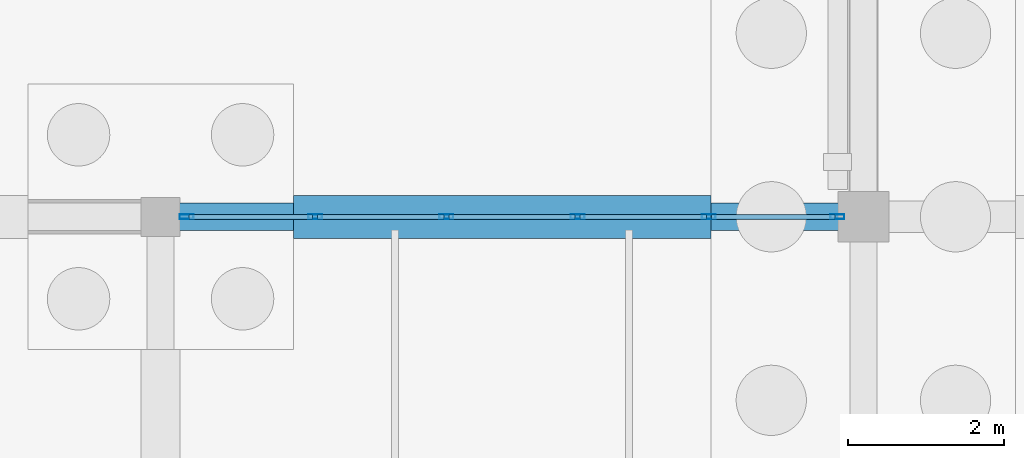
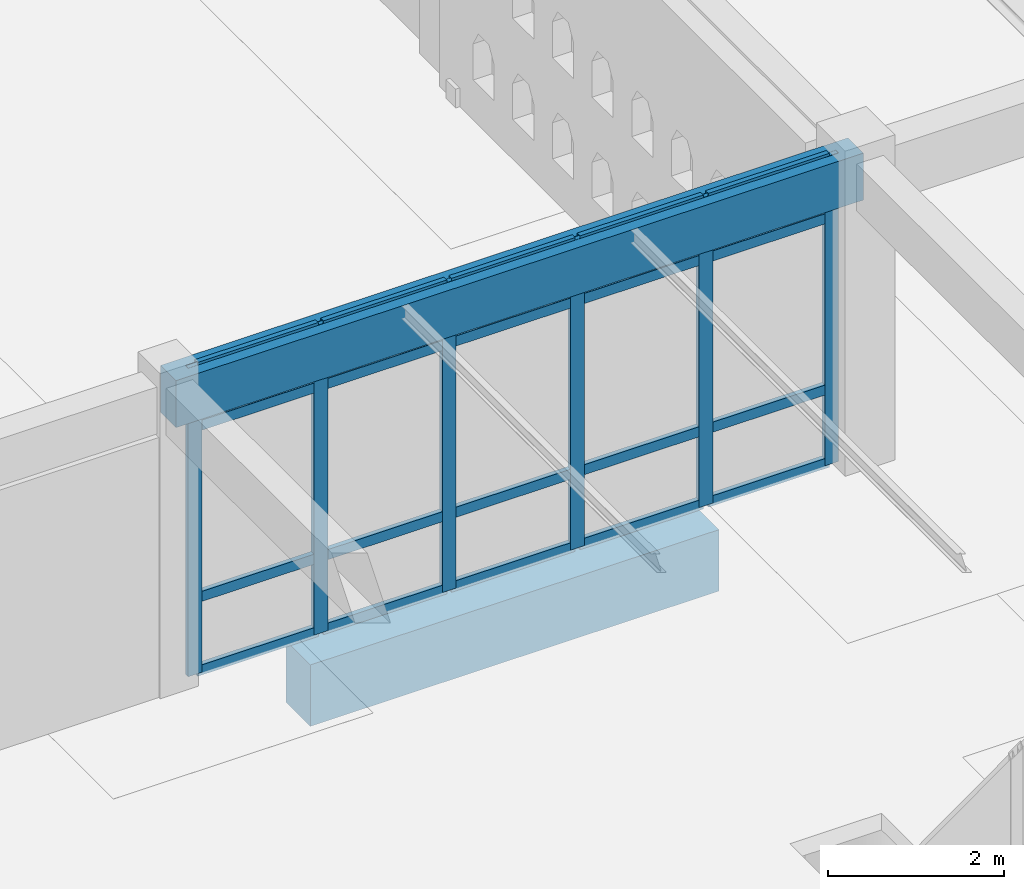
# One storey, part 112 of 186: 26 members, 2 beams, 1 element without a shape of its own.
"""IFC4 building model written with IfcOpenShell, lengths in metres."""

from ifc_helpers import new_model, si_unit, direction, frame, origin, origin_2d, place, context, subcontext, project, spatial, rectangle, hollow_rectangle, extrude, material, layer, layer_set, material_profile, profile_set, type_object, element, aggregate, save


model = new_model("IFC4")

# Units and contexts
model_context = context("Model", 3, precision=1e-05, world=origin(), true_north=direction((0.0, 1.0)))
body_context = subcontext(model_context, "Body", "Model", "MODEL_VIEW")
ifc_project = project(units=[si_unit("LENGTHUNIT", "METRE"), si_unit("AREAUNIT", "SQUARE_METRE"), si_unit("VOLUMEUNIT", "CUBIC_METRE"), si_unit("PLANEANGLEUNIT", "RADIAN"), si_unit("MASSUNIT", "GRAM", prefix="KILO")], contexts=[model_context])

# Site, building, storey
site_placement = place(None, origin())
site = spatial("IfcSite", under=ifc_project, at=site_placement, CompositionType="ELEMENT")
building_placement = place(site_placement, origin())
building = spatial("IfcBuilding", under=site, at=building_placement, Name="Ornek Quay Market", CompositionType="ELEMENT")
storey_placement = place(building_placement, origin())
storey = spatial("IfcBuildingStorey", under=building, at=storey_placement, Name="L00", CompositionType="ELEMENT", Elevation=0.0)

# Beams
ifc_material_1 = material(Name="Concrete C35/45", Category="concrete")
ifc_material_profile_1 = material_profile(ifc_material_1, rectangle(XDim=0.35009765625, YDim=0.64990234375, at=origin_2d()), Name="RC 350x650", Category="concrete")
ifc_profile_set_1 = profile_set([ifc_material_profile_1], Name="Concrete C35/45")
beam_type_1 = type_object("IfcBeamType", Name="BM-CONC-350x650", PredefinedType="BEAM", material=ifc_profile_set_1)
beam_1_placement = place(storey_placement, frame((144.0, 29.0, 3.945068359375), z_axis=(1.0, 0.0, 0.0), x_axis=(0.0, 1.0, 0.0)))
element("IfcBeam", 1, at=beam_1_placement, inside=storey, type_object=beam_type_1, Name="Primary beam B-CN1-092", PredefinedType="BEAM", context=body_context, shape_type="SweptSolid", body=[
    extrude(rectangle(XDim=0.35009765625, YDim=0.64990234375, at=origin_2d()), origin(), (0.0, 0.0, 1.0), 9.0),
])
ifc_material_profile_2 = material_profile(ifc_material_1, rectangle(XDim=0.550048828125, YDim=0.85009765625, at=origin_2d()), Name="RC 550x850", Category="concrete")
ifc_profile_set_2 = profile_set([ifc_material_profile_2], Name="Concrete C35/45")
beam_type_2 = type_object("IfcBeamType", Name="BM-GB-550x850", PredefinedType="BEAM", material=ifc_profile_set_2)
beam_2_placement = place(storey_placement, frame((145.699951171875, 29.0, -0.625), z_axis=(1.0, 0.0, 0.0), x_axis=(0.0, 1.0, 0.0)))
element("IfcBeam", 2, at=beam_2_placement, inside=storey, type_object=beam_type_2, Name="Ground tie beam GB-313", PredefinedType="BEAM", context=body_context, shape_type="SweptSolid", body=[
    extrude(rectangle(XDim=0.550048828125, YDim=0.85009765625, at=origin_2d()), origin(), (0.0, 0.0, 1.0), 5.35009765625),
])

# Curtain wall, members
ifc_material_2 = material(Name="Anodised bronze aluminium and triple low-e glass", Category="aluminium")
ifc_layer = layer(ifc_material_2, 0.199951171875, Name="Anodised bronze aluminium and triple low-e glass", Category="aluminium")
ifc_layer_set = layer_set([ifc_layer], Name="Anodised bronze aluminium and triple low-e glass")
curtain_wall_type = type_object("IfcCurtainWallType", Name="CW-CONC-MOD1800", PredefinedType="USERDEFINED", material=ifc_layer_set)
curtain_wall_placement = place(storey_placement, origin())
curtain_wall = element("IfcCurtainWall", 3, at=curtain_wall_placement, inside=storey, type_object=curtain_wall_type, Name="Curtain wall CW-031", ObjectType="CURTAIN WALL", PredefinedType="USERDEFINED")
ifc_material_3 = material(Name="Anodised aluminium 6063-T6", Category="aluminium")
ifc_material_profile_3 = material_profile(ifc_material_3, hollow_rectangle(XDim=0.06494140625, YDim=0.179931640625, WallThickness=0.00439453125, at=origin_2d()), Name="CW-MUL-65x180", Category="aluminium")
ifc_profile_set_3 = profile_set([ifc_material_profile_3], Name="Anodised aluminium 6063-T6")
member_type_1 = type_object("IfcMemberType", Name="CW-MUL-65x180", PredefinedType="MULLION", material=ifc_profile_set_3)
member_1_placement = place(storey_placement, frame((144.33251953125, 29.0, 0.0), z_axis=(0.0, 0.0, 1.0), x_axis=(0.0, 1.0, 0.0)))
member_1 = element("IfcMember", 4, at=member_1_placement, type_object=member_type_1, Name="CW-031 mullion 1", PredefinedType="MULLION", context=body_context, shape_type="SweptSolid", body=[
    extrude(hollow_rectangle(XDim=0.06494140625, YDim=0.179931640625, WallThickness=0.00439453125, at=origin_2d()), origin(), (0.0, 0.0, 1.0), 4.27001953125),
])
member_2_placement = place(storey_placement, frame((145.97998046875, 29.0, 0.0), z_axis=(0.0, 0.0, 1.0), x_axis=(0.0, 1.0, 0.0)))
member_2 = element("IfcMember", 5, at=member_2_placement, type_object=member_type_1, Name="CW-031 mullion 2", PredefinedType="MULLION", context=body_context, shape_type="SweptSolid", body=[
    extrude(hollow_rectangle(XDim=0.06494140625, YDim=0.179931640625, WallThickness=0.00439453125, at=origin_2d()), origin(), (0.0, 0.0, 1.0), 4.27001953125),
])
member_3_placement = place(storey_placement, frame((147.659912109375, 29.0, 0.0), z_axis=(0.0, 0.0, 1.0), x_axis=(0.0, 1.0, 0.0)))
member_3 = element("IfcMember", 6, at=member_3_placement, type_object=member_type_1, Name="CW-031 mullion 3", PredefinedType="MULLION", context=body_context, shape_type="SweptSolid", body=[
    extrude(hollow_rectangle(XDim=0.06494140625, YDim=0.179931640625, WallThickness=0.00439453125, at=origin_2d()), origin(), (0.0, 0.0, 1.0), 4.27001953125),
])
member_4_placement = place(storey_placement, frame((149.340087890625, 29.0, 0.0), z_axis=(0.0, 0.0, 1.0), x_axis=(0.0, 1.0, 0.0)))
member_4 = element("IfcMember", 7, at=member_4_placement, type_object=member_type_1, Name="CW-031 mullion 4", PredefinedType="MULLION", context=body_context, shape_type="SweptSolid", body=[
    extrude(hollow_rectangle(XDim=0.06494140625, YDim=0.179931640625, WallThickness=0.00439453125, at=origin_2d()), origin(), (0.0, 0.0, 1.0), 4.27001953125),
])
member_5_placement = place(storey_placement, frame((151.02001953125, 29.0, 0.0), z_axis=(0.0, 0.0, 1.0), x_axis=(0.0, 1.0, 0.0)))
member_5 = element("IfcMember", 8, at=member_5_placement, type_object=member_type_1, Name="CW-031 mullion 5", PredefinedType="MULLION", context=body_context, shape_type="SweptSolid", body=[
    extrude(hollow_rectangle(XDim=0.06494140625, YDim=0.179931640625, WallThickness=0.00439453125, at=origin_2d()), origin(), (0.0, 0.0, 1.0), 4.27001953125),
])
member_6_placement = place(storey_placement, frame((152.66748046875, 29.0, 0.0), z_axis=(0.0, 0.0, 1.0), x_axis=(0.0, 1.0, 0.0)))
member_6 = element("IfcMember", 9, at=member_6_placement, type_object=member_type_1, Name="CW-031 mullion 6", PredefinedType="MULLION", context=body_context, shape_type="SweptSolid", body=[
    extrude(hollow_rectangle(XDim=0.06494140625, YDim=0.179931640625, WallThickness=0.00439453125, at=origin_2d()), origin(), (0.0, 0.0, 1.0), 4.27001953125),
])
ifc_material_profile_4 = material_profile(ifc_material_3, hollow_rectangle(XDim=0.06494140625, YDim=0.139892578125, WallThickness=0.00439453125, at=origin_2d()), Name="CW-TRN-65x140", Category="aluminium")
ifc_profile_set_4 = profile_set([ifc_material_profile_4], Name="Anodised aluminium 6063-T6")
member_type_2 = type_object("IfcMemberType", Name="CW-TRN-65x140", PredefinedType="USERDEFINED", material=ifc_profile_set_4)
member_7_placement = place(storey_placement, frame((144.364990234375, 29.0, 0.032470703125), z_axis=(1.0, 0.0, 0.0), x_axis=(0.0, 1.0, 0.0)))
member_7 = element("IfcMember", 10, at=member_7_placement, type_object=member_type_2, Name="CW-031 transom 1.1", ObjectType="TRANSOM", PredefinedType="USERDEFINED", context=body_context, shape_type="SweptSolid", body=[
    extrude(hollow_rectangle(XDim=0.06494140625, YDim=0.139892578125, WallThickness=0.00439453125, at=origin_2d()), origin(), (0.0, 0.0, 1.0), 1.58251953125),
])
member_8_placement = place(storey_placement, frame((144.364990234375, 29.0, 1.050048828125), z_axis=(1.0, 0.0, 0.0), x_axis=(0.0, 1.0, 0.0)))
member_8 = element("IfcMember", 11, at=member_8_placement, type_object=member_type_2, Name="CW-031 transom 1.2", ObjectType="TRANSOM", PredefinedType="USERDEFINED", context=body_context, shape_type="SweptSolid", body=[
    extrude(hollow_rectangle(XDim=0.06494140625, YDim=0.139892578125, WallThickness=0.00439453125, at=origin_2d()), origin(), (0.0, 0.0, 1.0), 1.58251953125),
])
member_9_placement = place(storey_placement, frame((144.364990234375, 29.0, 3.419921875), z_axis=(1.0, 0.0, 0.0), x_axis=(0.0, 1.0, 0.0)))
member_9 = element("IfcMember", 12, at=member_9_placement, type_object=member_type_2, Name="CW-031 transom 1.3", ObjectType="TRANSOM", PredefinedType="USERDEFINED", context=body_context, shape_type="SweptSolid", body=[
    extrude(hollow_rectangle(XDim=0.06494140625, YDim=0.139892578125, WallThickness=0.00439453125, at=origin_2d()), origin(), (0.0, 0.0, 1.0), 1.58251953125),
])
member_10_placement = place(storey_placement, frame((144.364990234375, 29.0, 4.237548828125), z_axis=(1.0, 0.0, 0.0), x_axis=(0.0, 1.0, 0.0)))
member_10 = element("IfcMember", 13, at=member_10_placement, type_object=member_type_2, Name="CW-031 transom 1.4", ObjectType="TRANSOM", PredefinedType="USERDEFINED", context=body_context, shape_type="SweptSolid", body=[
    extrude(hollow_rectangle(XDim=0.06494140625, YDim=0.139892578125, WallThickness=0.00439453125, at=origin_2d()), origin(), (0.0, 0.0, 1.0), 1.58251953125),
])
member_11_placement = place(storey_placement, frame((146.012451171875, 29.0, 0.032470703125), z_axis=(1.0, 0.0, 0.0), x_axis=(0.0, 1.0, 0.0)))
member_11 = element("IfcMember", 14, at=member_11_placement, type_object=member_type_2, Name="CW-031 transom 2.1", ObjectType="TRANSOM", PredefinedType="USERDEFINED", context=body_context, shape_type="SweptSolid", body=[
    extrude(hollow_rectangle(XDim=0.06494140625, YDim=0.139892578125, WallThickness=0.00439453125, at=origin_2d()), origin(), (0.0, 0.0, 1.0), 1.614990234375),
])
member_12_placement = place(storey_placement, frame((146.012451171875, 29.0, 1.050048828125), z_axis=(1.0, 0.0, 0.0), x_axis=(0.0, 1.0, 0.0)))
member_12 = element("IfcMember", 15, at=member_12_placement, type_object=member_type_2, Name="CW-031 transom 2.2", ObjectType="TRANSOM", PredefinedType="USERDEFINED", context=body_context, shape_type="SweptSolid", body=[
    extrude(hollow_rectangle(XDim=0.06494140625, YDim=0.139892578125, WallThickness=0.00439453125, at=origin_2d()), origin(), (0.0, 0.0, 1.0), 1.614990234375),
])
member_13_placement = place(storey_placement, frame((146.012451171875, 29.0, 3.419921875), z_axis=(1.0, 0.0, 0.0), x_axis=(0.0, 1.0, 0.0)))
member_13 = element("IfcMember", 16, at=member_13_placement, type_object=member_type_2, Name="CW-031 transom 2.3", ObjectType="TRANSOM", PredefinedType="USERDEFINED", context=body_context, shape_type="SweptSolid", body=[
    extrude(hollow_rectangle(XDim=0.06494140625, YDim=0.139892578125, WallThickness=0.00439453125, at=origin_2d()), origin(), (0.0, 0.0, 1.0), 1.614990234375),
])
member_14_placement = place(storey_placement, frame((146.012451171875, 29.0, 4.237548828125), z_axis=(1.0, 0.0, 0.0), x_axis=(0.0, 1.0, 0.0)))
member_14 = element("IfcMember", 17, at=member_14_placement, type_object=member_type_2, Name="CW-031 transom 2.4", ObjectType="TRANSOM", PredefinedType="USERDEFINED", context=body_context, shape_type="SweptSolid", body=[
    extrude(hollow_rectangle(XDim=0.06494140625, YDim=0.139892578125, WallThickness=0.00439453125, at=origin_2d()), origin(), (0.0, 0.0, 1.0), 1.614990234375),
])
member_15_placement = place(storey_placement, frame((147.6923828125, 29.0, 0.032470703125), z_axis=(1.0, 0.0, 0.0), x_axis=(0.0, 1.0, 0.0)))
member_15 = element("IfcMember", 18, at=member_15_placement, type_object=member_type_2, Name="CW-031 transom 3.1", ObjectType="TRANSOM", PredefinedType="USERDEFINED", context=body_context, shape_type="SweptSolid", body=[
    extrude(hollow_rectangle(XDim=0.06494140625, YDim=0.139892578125, WallThickness=0.00439453125, at=origin_2d()), origin(), (0.0, 0.0, 1.0), 1.615234375),
])
member_16_placement = place(storey_placement, frame((147.6923828125, 29.0, 1.050048828125), z_axis=(1.0, 0.0, 0.0), x_axis=(0.0, 1.0, 0.0)))
member_16 = element("IfcMember", 19, at=member_16_placement, type_object=member_type_2, Name="CW-031 transom 3.2", ObjectType="TRANSOM", PredefinedType="USERDEFINED", context=body_context, shape_type="SweptSolid", body=[
    extrude(hollow_rectangle(XDim=0.06494140625, YDim=0.139892578125, WallThickness=0.00439453125, at=origin_2d()), origin(), (0.0, 0.0, 1.0), 1.615234375),
])
member_17_placement = place(storey_placement, frame((147.6923828125, 29.0, 3.419921875), z_axis=(1.0, 0.0, 0.0), x_axis=(0.0, 1.0, 0.0)))
member_17 = element("IfcMember", 20, at=member_17_placement, type_object=member_type_2, Name="CW-031 transom 3.3", ObjectType="TRANSOM", PredefinedType="USERDEFINED", context=body_context, shape_type="SweptSolid", body=[
    extrude(hollow_rectangle(XDim=0.06494140625, YDim=0.139892578125, WallThickness=0.00439453125, at=origin_2d()), origin(), (0.0, 0.0, 1.0), 1.615234375),
])
member_18_placement = place(storey_placement, frame((147.6923828125, 29.0, 4.237548828125), z_axis=(1.0, 0.0, 0.0), x_axis=(0.0, 1.0, 0.0)))
member_18 = element("IfcMember", 21, at=member_18_placement, type_object=member_type_2, Name="CW-031 transom 3.4", ObjectType="TRANSOM", PredefinedType="USERDEFINED", context=body_context, shape_type="SweptSolid", body=[
    extrude(hollow_rectangle(XDim=0.06494140625, YDim=0.139892578125, WallThickness=0.00439453125, at=origin_2d()), origin(), (0.0, 0.0, 1.0), 1.615234375),
])
member_19_placement = place(storey_placement, frame((149.37255859375, 29.0, 0.032470703125), z_axis=(1.0, 0.0, 0.0), x_axis=(0.0, 1.0, 0.0)))
member_19 = element("IfcMember", 22, at=member_19_placement, type_object=member_type_2, Name="CW-031 transom 4.1", ObjectType="TRANSOM", PredefinedType="USERDEFINED", context=body_context, shape_type="SweptSolid", body=[
    extrude(hollow_rectangle(XDim=0.06494140625, YDim=0.139892578125, WallThickness=0.00439453125, at=origin_2d()), origin(), (0.0, 0.0, 1.0), 1.614990234375),
])
member_20_placement = place(storey_placement, frame((149.37255859375, 29.0, 1.050048828125), z_axis=(1.0, 0.0, 0.0), x_axis=(0.0, 1.0, 0.0)))
member_20 = element("IfcMember", 23, at=member_20_placement, type_object=member_type_2, Name="CW-031 transom 4.2", ObjectType="TRANSOM", PredefinedType="USERDEFINED", context=body_context, shape_type="SweptSolid", body=[
    extrude(hollow_rectangle(XDim=0.06494140625, YDim=0.139892578125, WallThickness=0.00439453125, at=origin_2d()), origin(), (0.0, 0.0, 1.0), 1.614990234375),
])
member_21_placement = place(storey_placement, frame((149.37255859375, 29.0, 3.419921875), z_axis=(1.0, 0.0, 0.0), x_axis=(0.0, 1.0, 0.0)))
member_21 = element("IfcMember", 24, at=member_21_placement, type_object=member_type_2, Name="CW-031 transom 4.3", ObjectType="TRANSOM", PredefinedType="USERDEFINED", context=body_context, shape_type="SweptSolid", body=[
    extrude(hollow_rectangle(XDim=0.06494140625, YDim=0.139892578125, WallThickness=0.00439453125, at=origin_2d()), origin(), (0.0, 0.0, 1.0), 1.614990234375),
])
member_22_placement = place(storey_placement, frame((149.37255859375, 29.0, 4.237548828125), z_axis=(1.0, 0.0, 0.0), x_axis=(0.0, 1.0, 0.0)))
member_22 = element("IfcMember", 25, at=member_22_placement, type_object=member_type_2, Name="CW-031 transom 4.4", ObjectType="TRANSOM", PredefinedType="USERDEFINED", context=body_context, shape_type="SweptSolid", body=[
    extrude(hollow_rectangle(XDim=0.06494140625, YDim=0.139892578125, WallThickness=0.00439453125, at=origin_2d()), origin(), (0.0, 0.0, 1.0), 1.614990234375),
])
member_23_placement = place(storey_placement, frame((151.052490234375, 29.0, 0.032470703125), z_axis=(1.0, 0.0, 0.0), x_axis=(0.0, 1.0, 0.0)))
member_23 = element("IfcMember", 26, at=member_23_placement, type_object=member_type_2, Name="CW-031 transom 5.1", ObjectType="TRANSOM", PredefinedType="USERDEFINED", context=body_context, shape_type="SweptSolid", body=[
    extrude(hollow_rectangle(XDim=0.06494140625, YDim=0.139892578125, WallThickness=0.00439453125, at=origin_2d()), origin(), (0.0, 0.0, 1.0), 1.58251953125),
])
member_24_placement = place(storey_placement, frame((151.052490234375, 29.0, 1.050048828125), z_axis=(1.0, 0.0, 0.0), x_axis=(0.0, 1.0, 0.0)))
member_24 = element("IfcMember", 27, at=member_24_placement, type_object=member_type_2, Name="CW-031 transom 5.2", ObjectType="TRANSOM", PredefinedType="USERDEFINED", context=body_context, shape_type="SweptSolid", body=[
    extrude(hollow_rectangle(XDim=0.06494140625, YDim=0.139892578125, WallThickness=0.00439453125, at=origin_2d()), origin(), (0.0, 0.0, 1.0), 1.58251953125),
])
member_25_placement = place(storey_placement, frame((151.052490234375, 29.0, 3.419921875), z_axis=(1.0, 0.0, 0.0), x_axis=(0.0, 1.0, 0.0)))
member_25 = element("IfcMember", 28, at=member_25_placement, type_object=member_type_2, Name="CW-031 transom 5.3", ObjectType="TRANSOM", PredefinedType="USERDEFINED", context=body_context, shape_type="SweptSolid", body=[
    extrude(hollow_rectangle(XDim=0.06494140625, YDim=0.139892578125, WallThickness=0.00439453125, at=origin_2d()), origin(), (0.0, 0.0, 1.0), 1.58251953125),
])
member_26_placement = place(storey_placement, frame((151.052490234375, 29.0, 4.237548828125), z_axis=(1.0, 0.0, 0.0), x_axis=(0.0, 1.0, 0.0)))
member_26 = element("IfcMember", 29, at=member_26_placement, type_object=member_type_2, Name="CW-031 transom 5.4", ObjectType="TRANSOM", PredefinedType="USERDEFINED", context=body_context, shape_type="SweptSolid", body=[
    extrude(hollow_rectangle(XDim=0.06494140625, YDim=0.139892578125, WallThickness=0.00439453125, at=origin_2d()), origin(), (0.0, 0.0, 1.0), 1.58251953125),
])
aggregate(curtain_wall, [member_1, member_2, member_3, member_4, member_5, member_6, member_7, member_8, member_9, member_10, member_11, member_12, member_13, member_14, member_15, member_16, member_17, member_18, member_19, member_20, member_21, member_22, member_23, member_24, member_25, member_26])

save(model, "model.ifc")
